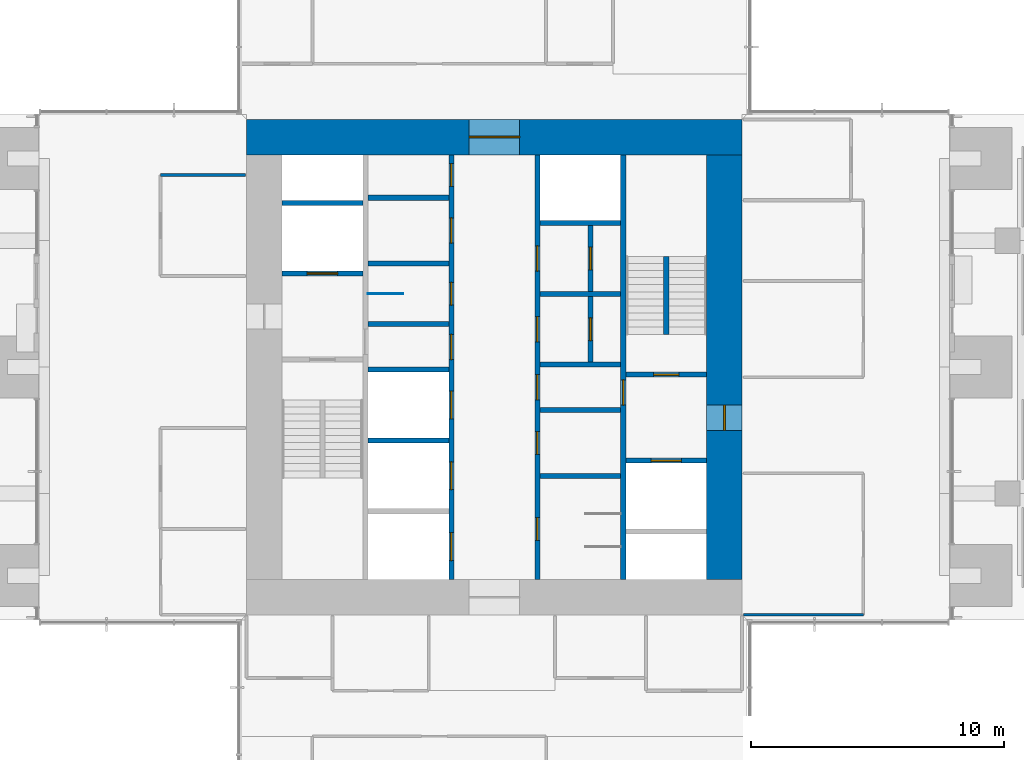
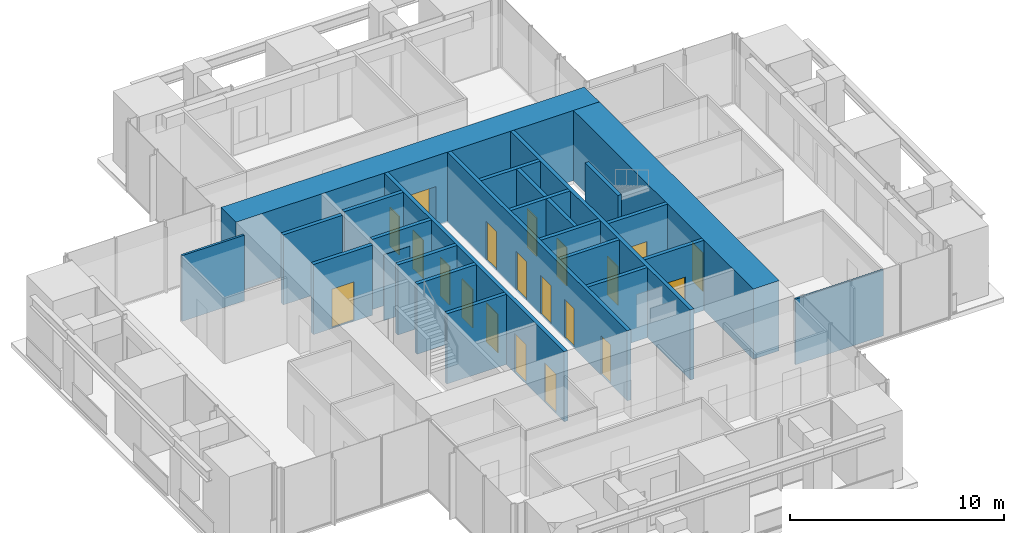
# One storey, part 13 of 17: 25 walls, 20 doors, 20 openings.
"""IFC4 building model written with IfcOpenShell, lengths in metres."""

from ifc_helpers import new_model, si_unit, direction, frame, frame_2d, origin, place, context, subcontext, project, spatial, rectangle, extrude, material, layer, layer_set, type_object, element, fill, save


model = new_model("IFC4")

# Units and contexts
model_context = context("Model", 3, precision=1e-05, world=origin(), true_north=direction((0.0, 1.0)))
body_context = subcontext(model_context, "Body", "Model", "MODEL_VIEW")
ifc_project = project(units=[si_unit("LENGTHUNIT", "METRE"), si_unit("AREAUNIT", "SQUARE_METRE"), si_unit("VOLUMEUNIT", "CUBIC_METRE"), si_unit("PLANEANGLEUNIT", "RADIAN"), si_unit("MASSUNIT", "GRAM", prefix="KILO")], contexts=[model_context])

# Site, building, storey
site_placement = place(None, origin())
site = spatial("IfcSite", under=ifc_project, at=site_placement, CompositionType="ELEMENT")
building_placement = place(site_placement, origin())
building = spatial("IfcBuilding", under=site, at=building_placement, Name="Svetlomir Tower", CompositionType="ELEMENT")
storey_placement = place(building_placement, frame((0.0, 0.0, 190.5)))
storey = spatial("IfcBuildingStorey", under=building, at=storey_placement, Name="L45", CompositionType="ELEMENT", Elevation=190.5)

# Wall, openings, doors
ifc_material_1 = material(Name="Concrete C60/75", Category="concrete")
ifc_layer_1 = layer(ifc_material_1, 0.199951171875)
ifc_layer_set_1 = layer_set([ifc_layer_1], Name="Concrete C60/75")
wall_type_1 = type_object("IfcWallType", Name="CORE INNER WALL 200", PredefinedType="SHEAR", material=ifc_layer_set_1)
wall_1_placement = place(storey_placement, frame((19.300048828125, 12.60009765625, -0.050048828125), z_axis=(0.0, 0.0, 1.0), x_axis=(0.0, 1.0, 0.0)))
wall_1 = element("IfcWall", 1, at=wall_1_placement, inside=storey, type_object=wall_type_1, Name="Core inner wall 19.3 L45", PredefinedType="SHEAR", context=body_context, shape_type="SweptSolid", body=[
    extrude(rectangle(XDim=16.7998046875, YDim=0.199951171875, at=frame_2d((8.39990234375, 0.0))), origin(), (0.0, 0.0, 1.0), 4.0),
])
opening_1_placement = place(wall_1_placement, frame((8.699951171875, 0.0, 0.050048828125)))
opening_1 = element("IfcOpeningElement", 2, at=opening_1_placement, cuts=wall_1, Name="Opening DC", PredefinedType="OPENING", context=body_context, shape_type="SweptSolid", body=[
    extrude(rectangle(XDim=1.0, YDim=2.199951171875, at=frame_2d((0.5, 1.10009765625))), frame((0.0, 0.10986328125, 0.0), z_axis=(0.0, -1.0, 0.0), x_axis=(1.0, 0.0, 0.0)), (0.0, 0.0, 1.0), 0.219970703125),
])
opening_2_placement = place(wall_1_placement, frame((10.85009765625, 0.0, 0.050048828125)))
opening_2 = element("IfcOpeningElement", 3, at=opening_2_placement, cuts=wall_1, Name="Opening DW", PredefinedType="OPENING", context=body_context, shape_type="SweptSolid", body=[
    extrude(rectangle(XDim=0.89990234375, YDim=2.199951171875, at=frame_2d((0.449951171875, 1.10009765625))), frame((0.0, 0.10986328125, 0.0), z_axis=(0.0, -1.0, 0.0), x_axis=(1.0, 0.0, 0.0)), (0.0, 0.0, 1.0), 0.219970703125),
])
opening_3_placement = place(wall_1_placement, frame((13.300048828125, 0.0, 0.050048828125)))
opening_3 = element("IfcOpeningElement", 4, at=opening_3_placement, cuts=wall_1, Name="Opening DC", PredefinedType="OPENING", context=body_context, shape_type="SweptSolid", body=[
    extrude(rectangle(XDim=1.0, YDim=2.199951171875, at=frame_2d((0.5, 1.10009765625))), frame((0.0, 0.10986328125, 0.0), z_axis=(0.0, -1.0, 0.0), x_axis=(1.0, 0.0, 0.0)), (0.0, 0.0, 1.0), 0.219970703125),
])
opening_4_placement = place(wall_1_placement, frame((15.550048828125, 0.0, 0.050048828125)))
opening_4 = element("IfcOpeningElement", 5, at=opening_4_placement, cuts=wall_1, Name="Opening DW", PredefinedType="OPENING", context=body_context, shape_type="SweptSolid", body=[
    extrude(rectangle(XDim=0.89990234375, YDim=2.199951171875, at=frame_2d((0.449951171875, 1.10009765625))), frame((0.0, 0.10986328125, 0.0), z_axis=(0.0, -1.0, 0.0), x_axis=(1.0, 0.0, 0.0)), (0.0, 0.0, 1.0), 0.219970703125),
])
opening_5_placement = place(wall_1_placement, frame((0.75, 0.0, 0.050048828125)))
opening_5 = element("IfcOpeningElement", 6, at=opening_5_placement, cuts=wall_1, Name="Opening LD", PredefinedType="OPENING", context=body_context, shape_type="SweptSolid", body=[
    extrude(rectangle(XDim=1.10009765625, YDim=2.199951171875, at=frame_2d((0.550048828125, 1.10009765625))), frame((0.0, 0.10986328125, 0.0), z_axis=(0.0, -1.0, 0.0), x_axis=(1.0, 0.0, 0.0)), (0.0, 0.0, 1.0), 0.219970703125),
])
opening_6_placement = place(wall_1_placement, frame((3.550048828125, 0.0, 0.050048828125)))
opening_6 = element("IfcOpeningElement", 7, at=opening_6_placement, cuts=wall_1, Name="Opening LD", PredefinedType="OPENING", context=body_context, shape_type="SweptSolid", body=[
    extrude(rectangle(XDim=1.10009765625, YDim=2.199951171875, at=frame_2d((0.550048828125, 1.10009765625))), frame((0.0, 0.10986328125, 0.0), z_axis=(0.0, -1.0, 0.0), x_axis=(1.0, 0.0, 0.0)), (0.0, 0.0, 1.0), 0.219970703125),
])
opening_7_placement = place(wall_1_placement, frame((6.35009765625, 0.0, 0.050048828125)))
opening_7 = element("IfcOpeningElement", 8, at=opening_7_placement, cuts=wall_1, Name="Opening LD", PredefinedType="OPENING", context=body_context, shape_type="SweptSolid", body=[
    extrude(rectangle(XDim=1.10009765625, YDim=2.199951171875, at=frame_2d((0.550048828125, 1.10009765625))), frame((0.0, 0.10986328125, 0.0), z_axis=(0.0, -1.0, 0.0), x_axis=(1.0, 0.0, 0.0)), (0.0, 0.0, 1.0), 0.219970703125),
])
ifc_material_2 = material(Name="Timber fire door", Category="wood")
door_type_1 = type_object("IfcDoorType", Name="DOOR DC 1000x2200", OperationType="SINGLE_SWING_LEFT", PredefinedType="DOOR", material=ifc_material_2)
door_1_placement = place(opening_1_placement, origin())
door_1 = element("IfcDoor", 9, at=door_1_placement, inside=storey, type_object=door_type_1, Name="Core corridor west lobby door L45", OperationType="SINGLE_SWING_LEFT", OverallHeight=2.199951171875, OverallWidth=1.0, PredefinedType="DOOR", context=body_context, shape_type="SweptSolid", body=[
    extrude(rectangle(XDim=1.0, YDim=2.199951171875, at=frame_2d((0.5, 1.10009765625))), frame((0.0, 0.02490234375, 0.0), z_axis=(0.0, -1.0, 0.0), x_axis=(1.0, 0.0, 0.0)), (0.0, 0.0, 1.0), 0.050048828125),
])
fill(opening_1, door_1)
door_2_placement = place(opening_3_placement, origin())
door_2 = element("IfcDoor", 10, at=door_2_placement, inside=storey, type_object=door_type_1, Name="Accessible WC door L45", OperationType="SINGLE_SWING_RIGHT", OverallHeight=2.199951171875, OverallWidth=1.0, PredefinedType="DOOR", context=body_context, shape_type="SweptSolid", body=[
    extrude(rectangle(XDim=1.0, YDim=2.199951171875, at=frame_2d((0.5, 1.10009765625))), frame((0.0, 0.02490234375, 0.0), z_axis=(0.0, -1.0, 0.0), x_axis=(1.0, 0.0, 0.0)), (0.0, 0.0, 1.0), 0.050048828125),
])
fill(opening_3, door_2)
ifc_material_3 = material(Name="Timber fire door", Category="wood")
door_type_2 = type_object("IfcDoorType", Name="DOOR DW 900x2200", OperationType="SINGLE_SWING_LEFT", PredefinedType="DOOR", material=ifc_material_3)
door_3_placement = place(opening_2_placement, origin())
door_3 = element("IfcDoor", 11, at=door_3_placement, inside=storey, type_object=door_type_2, Name="Female WC door L45", OperationType="SINGLE_SWING_LEFT", OverallHeight=2.199951171875, OverallWidth=0.89990234375, PredefinedType="DOOR", context=body_context, shape_type="SweptSolid", body=[
    extrude(rectangle(XDim=0.89990234375, YDim=2.199951171875, at=frame_2d((0.449951171875, 1.10009765625))), frame((0.0, 0.02490234375, 0.0), z_axis=(0.0, -1.0, 0.0), x_axis=(1.0, 0.0, 0.0)), (0.0, 0.0, 1.0), 0.050048828125),
])
fill(opening_2, door_3)
door_4_placement = place(opening_4_placement, origin())
door_4 = element("IfcDoor", 12, at=door_4_placement, inside=storey, type_object=door_type_2, Name="Tea point door L45", OperationType="SINGLE_SWING_LEFT", OverallHeight=2.199951171875, OverallWidth=0.89990234375, PredefinedType="DOOR", context=body_context, shape_type="SweptSolid", body=[
    extrude(rectangle(XDim=0.89990234375, YDim=2.199951171875, at=frame_2d((0.449951171875, 1.10009765625))), frame((0.0, 0.02490234375, 0.0), z_axis=(0.0, -1.0, 0.0), x_axis=(1.0, 0.0, 0.0)), (0.0, 0.0, 1.0), 0.050048828125),
])
fill(opening_4, door_4)
ifc_material_4 = material(Name="Stainless steel landing door", Category="steel")
door_type_3 = type_object("IfcDoorType", Name="LIFT LANDING DOOR LD 1100x2200", OperationType="DOUBLE_DOOR_SLIDING", PredefinedType="DOOR", material=ifc_material_4)
door_5_placement = place(opening_5_placement, origin())
door_5 = element("IfcDoor", 13, at=door_5_placement, inside=storey, type_object=door_type_3, Name="Landing door lift LC1 L45", OperationType="DOUBLE_DOOR_SLIDING", OverallHeight=2.199951171875, OverallWidth=1.10009765625, PredefinedType="DOOR", context=body_context, shape_type="SweptSolid", body=[
    extrude(rectangle(XDim=1.10009765625, YDim=2.199951171875, at=frame_2d((0.550048828125, 1.10009765625))), frame((0.0, 0.02490234375, 0.0), z_axis=(0.0, -1.0, 0.0), x_axis=(1.0, 0.0, 0.0)), (0.0, 0.0, 1.0), 0.050048828125),
])
fill(opening_5, door_5)
door_6_placement = place(opening_6_placement, origin())
door_6 = element("IfcDoor", 14, at=door_6_placement, inside=storey, type_object=door_type_3, Name="Landing door lift LC2 L45", OperationType="DOUBLE_DOOR_SLIDING", OverallHeight=2.199951171875, OverallWidth=1.10009765625, PredefinedType="DOOR", context=body_context, shape_type="SweptSolid", body=[
    extrude(rectangle(XDim=1.10009765625, YDim=2.199951171875, at=frame_2d((0.550048828125, 1.10009765625))), frame((0.0, 0.02490234375, 0.0), z_axis=(0.0, -1.0, 0.0), x_axis=(1.0, 0.0, 0.0)), (0.0, 0.0, 1.0), 0.050048828125),
])
fill(opening_6, door_6)
door_7_placement = place(opening_7_placement, origin())
door_7 = element("IfcDoor", 15, at=door_7_placement, inside=storey, type_object=door_type_3, Name="Landing door lift LC3 L45", OperationType="DOUBLE_DOOR_SLIDING", OverallHeight=2.199951171875, OverallWidth=1.10009765625, PredefinedType="DOOR", context=body_context, shape_type="SweptSolid", body=[
    extrude(rectangle(XDim=1.10009765625, YDim=2.199951171875, at=frame_2d((0.550048828125, 1.10009765625))), frame((0.0, 0.02490234375, 0.0), z_axis=(0.0, -1.0, 0.0), x_axis=(1.0, 0.0, 0.0)), (0.0, 0.0, 1.0), 0.050048828125),
])
fill(opening_7, door_7)

wall_2_placement = place(storey_placement, frame((22.699951171875, 12.60009765625, -0.050048828125), z_axis=(0.0, 0.0, 1.0), x_axis=(0.0, 1.0, 0.0)))
wall_2 = element("IfcWall", 16, at=wall_2_placement, inside=storey, type_object=wall_type_1, Name="Core inner wall 22.7 L45", PredefinedType="SHEAR", context=body_context, shape_type="SweptSolid", body=[
    extrude(rectangle(XDim=16.7998046875, YDim=0.199951171875, at=frame_2d((8.39990234375, 0.0))), origin(), (0.0, 0.0, 1.0), 4.0),
])
opening_8_placement = place(wall_2_placement, frame((7.10009765625, 0.0, 0.050048828125)))
opening_8 = element("IfcOpeningElement", 17, at=opening_8_placement, cuts=wall_2, Name="Opening DC", PredefinedType="OPENING", context=body_context, shape_type="SweptSolid", body=[
    extrude(rectangle(XDim=1.0, YDim=2.199951171875, at=frame_2d((0.5, 1.10009765625))), frame((0.0, 0.10986328125, 0.0), z_axis=(0.0, -1.0, 0.0), x_axis=(1.0, 0.0, 0.0)), (0.0, 0.0, 1.0), 0.219970703125),
])
opening_9_placement = place(wall_2_placement, frame((1.550048828125, 0.0, 0.050048828125)))
opening_9 = element("IfcOpeningElement", 18, at=opening_9_placement, cuts=wall_2, Name="Opening DW", PredefinedType="OPENING", context=body_context, shape_type="SweptSolid", body=[
    extrude(rectangle(XDim=0.89990234375, YDim=2.199951171875, at=frame_2d((0.449951171875, 1.10009765625))), frame((0.0, 0.10986328125, 0.0), z_axis=(0.0, -1.0, 0.0), x_axis=(1.0, 0.0, 0.0)), (0.0, 0.0, 1.0), 0.219970703125),
])
opening_10_placement = place(wall_2_placement, frame((4.949951171875, 0.0, 0.050048828125)))
opening_10 = element("IfcOpeningElement", 19, at=opening_10_placement, cuts=wall_2, Name="Opening DW", PredefinedType="OPENING", context=body_context, shape_type="SweptSolid", body=[
    extrude(rectangle(XDim=0.89990234375, YDim=2.199951171875, at=frame_2d((0.449951171875, 1.10009765625))), frame((0.0, 0.10986328125, 0.0), z_axis=(0.0, -1.0, 0.0), x_axis=(1.0, 0.0, 0.0)), (0.0, 0.0, 1.0), 0.219970703125),
])
opening_11_placement = place(wall_2_placement, frame((9.39990234375, 0.0, 0.050048828125)))
opening_11 = element("IfcOpeningElement", 20, at=opening_11_placement, cuts=wall_2, Name="Opening DC", PredefinedType="OPENING", context=body_context, shape_type="SweptSolid", body=[
    extrude(rectangle(XDim=1.0, YDim=2.199951171875, at=frame_2d((0.5, 1.10009765625))), frame((0.0, 0.10986328125, 0.0), z_axis=(0.0, -1.0, 0.0), x_axis=(1.0, 0.0, 0.0)), (0.0, 0.0, 1.0), 0.219970703125),
])
opening_12_placement = place(wall_2_placement, frame((12.199951171875, 0.0, 0.050048828125)))
opening_12 = element("IfcOpeningElement", 21, at=opening_12_placement, cuts=wall_2, Name="Opening DC", PredefinedType="OPENING", context=body_context, shape_type="SweptSolid", body=[
    extrude(rectangle(XDim=1.0, YDim=2.199951171875, at=frame_2d((0.5, 1.10009765625))), frame((0.0, 0.10986328125, 0.0), z_axis=(0.0, -1.0, 0.0), x_axis=(1.0, 0.0, 0.0)), (0.0, 0.0, 1.0), 0.219970703125),
])
door_8_placement = place(opening_8_placement, origin())
door_8 = element("IfcDoor", 22, at=door_8_placement, inside=storey, type_object=door_type_1, Name="Core corridor east lobby door L45", OperationType="SINGLE_SWING_RIGHT", OverallHeight=2.199951171875, OverallWidth=1.0, PredefinedType="DOOR", context=body_context, shape_type="SweptSolid", body=[
    extrude(rectangle(XDim=1.0, YDim=2.199951171875, at=frame_2d((0.5, 1.10009765625))), frame((0.0, 0.02490234375, 0.0), z_axis=(0.0, -1.0, 0.0), x_axis=(1.0, 0.0, 0.0)), (0.0, 0.0, 1.0), 0.050048828125),
])
fill(opening_8, door_8)
door_9_placement = place(opening_11_placement, origin())
door_9 = element("IfcDoor", 23, at=door_9_placement, inside=storey, type_object=door_type_1, Name="Converted shaft BANK-E1 room door L45", OperationType="SINGLE_SWING_RIGHT", OverallHeight=2.199951171875, OverallWidth=1.0, PredefinedType="DOOR", context=body_context, shape_type="SweptSolid", body=[
    extrude(rectangle(XDim=1.0, YDim=2.199951171875, at=frame_2d((0.5, 1.10009765625))), frame((0.0, 0.02490234375, 0.0), z_axis=(0.0, -1.0, 0.0), x_axis=(1.0, 0.0, 0.0)), (0.0, 0.0, 1.0), 0.050048828125),
])
fill(opening_11, door_9)
door_10_placement = place(opening_12_placement, origin())
door_10 = element("IfcDoor", 24, at=door_10_placement, inside=storey, type_object=door_type_1, Name="Converted shaft BANK-E2 room door L45", OperationType="SINGLE_SWING_RIGHT", OverallHeight=2.199951171875, OverallWidth=1.0, PredefinedType="DOOR", context=body_context, shape_type="SweptSolid", body=[
    extrude(rectangle(XDim=1.0, YDim=2.199951171875, at=frame_2d((0.5, 1.10009765625))), frame((0.0, 0.02490234375, 0.0), z_axis=(0.0, -1.0, 0.0), x_axis=(1.0, 0.0, 0.0)), (0.0, 0.0, 1.0), 0.050048828125),
])
fill(opening_12, door_10)
door_11_placement = place(opening_9_placement, origin())
door_11 = element("IfcDoor", 25, at=door_11_placement, inside=storey, type_object=door_type_2, Name="Male WC door L45", OperationType="SINGLE_SWING_RIGHT", OverallHeight=2.199951171875, OverallWidth=0.89990234375, PredefinedType="DOOR", context=body_context, shape_type="SweptSolid", body=[
    extrude(rectangle(XDim=0.89990234375, YDim=2.199951171875, at=frame_2d((0.449951171875, 1.10009765625))), frame((0.0, 0.02490234375, 0.0), z_axis=(0.0, -1.0, 0.0), x_axis=(1.0, 0.0, 0.0)), (0.0, 0.0, 1.0), 0.050048828125),
])
fill(opening_9, door_11)
door_12_placement = place(opening_10_placement, origin())
door_12 = element("IfcDoor", 26, at=door_12_placement, inside=storey, type_object=door_type_2, Name="Comms room door L45", OperationType="SINGLE_SWING_LEFT", OverallHeight=2.199951171875, OverallWidth=0.89990234375, PredefinedType="DOOR", context=body_context, shape_type="SweptSolid", body=[
    extrude(rectangle(XDim=0.89990234375, YDim=2.199951171875, at=frame_2d((0.449951171875, 1.10009765625))), frame((0.0, 0.02490234375, 0.0), z_axis=(0.0, -1.0, 0.0), x_axis=(1.0, 0.0, 0.0)), (0.0, 0.0, 1.0), 0.050048828125),
])
fill(opening_10, door_12)

# Wall, opening, door
wall_3_placement = place(storey_placement, frame((26.10009765625, 12.60009765625, -0.050048828125), z_axis=(0.0, 0.0, 1.0), x_axis=(0.0, 1.0, 0.0)))
wall_3 = element("IfcWall", 27, at=wall_3_placement, inside=storey, type_object=wall_type_1, Name="Core inner wall 26.1 L45", PredefinedType="SHEAR", context=body_context, shape_type="SweptSolid", body=[
    extrude(rectangle(XDim=16.7998046875, YDim=0.199951171875, at=frame_2d((8.39990234375, 0.0))), origin(), (0.0, 0.0, 1.0), 4.0),
])
opening_13_placement = place(wall_3_placement, frame((6.89990234375, 0.0, 0.050048828125)))
opening_13 = element("IfcOpeningElement", 28, at=opening_13_placement, cuts=wall_3, Name="Opening DF", PredefinedType="OPENING", context=body_context, shape_type="SweptSolid", body=[
    extrude(rectangle(XDim=1.0, YDim=2.199951171875, at=frame_2d((0.5, 1.10009765625))), frame((0.0, 0.10986328125, 0.0), z_axis=(0.0, -1.0, 0.0), x_axis=(1.0, 0.0, 0.0)), (0.0, 0.0, 1.0), 0.219970703125),
])
ifc_material_5 = material(Name="Steel fire door", Category="steel")
door_type_4 = type_object("IfcDoorType", Name="DOOR DF 1000x2200", OperationType="SINGLE_SWING_LEFT", PredefinedType="DOOR", material=ifc_material_5)
door_13_placement = place(opening_13_placement, origin())
door_13 = element("IfcDoor", 29, at=door_13_placement, inside=storey, type_object=door_type_4, Name="Core corridor east door L45", OperationType="SINGLE_SWING_LEFT", OverallHeight=2.199951171875, OverallWidth=1.0, PredefinedType="DOOR", context=body_context, shape_type="SweptSolid", body=[
    extrude(rectangle(XDim=1.0, YDim=2.199951171875, at=frame_2d((0.5, 1.10009765625))), frame((0.0, 0.02490234375, 0.0), z_axis=(0.0, -1.0, 0.0), x_axis=(1.0, 0.0, 0.0)), (0.0, 0.0, 1.0), 0.050048828125),
])
fill(opening_13, door_13)

wall_4_placement = place(storey_placement, frame((12.60009765625, 24.699951171875, -0.050048828125), z_axis=(0.0, 0.0, 1.0), x_axis=(1.0, 0.0, 0.0)))
wall_4 = element("IfcWall", 30, at=wall_4_placement, inside=storey, type_object=wall_type_1, Name="Core inner wall 12.6-15.8/24.7 L45", PredefinedType="SHEAR", context=body_context, shape_type="SweptSolid", body=[
    extrude(rectangle(XDim=3.199951171875, YDim=0.199951171875, at=frame_2d((1.60009765625, 0.0))), origin(), (0.0, 0.0, 1.0), 4.0),
])
opening_14_placement = place(wall_4_placement, frame((1.0, 0.0, 0.050048828125)))
opening_14 = element("IfcOpeningElement", 31, at=opening_14_placement, cuts=wall_4, Name="Opening LD3", PredefinedType="OPENING", context=body_context, shape_type="SweptSolid", body=[
    extrude(rectangle(XDim=1.199951171875, YDim=2.199951171875, at=frame_2d((0.60009765625, 1.10009765625))), frame((0.0, 0.10986328125, 0.0), z_axis=(0.0, -1.0, 0.0), x_axis=(1.0, 0.0, 0.0)), (0.0, 0.0, 1.0), 0.219970703125),
])
ifc_material_6 = material(Name="Stainless steel fire-rated landing door", Category="steel")
door_type_5 = type_object("IfcDoorType", Name="FIREFIGHTING LIFT LANDING DOOR LD3 1200x2200", OperationType="DOUBLE_DOOR_SLIDING", PredefinedType="DOOR", material=ifc_material_6)
door_14_placement = place(opening_14_placement, origin())
door_14 = element("IfcDoor", 32, at=door_14_placement, inside=storey, type_object=door_type_5, Name="Landing door lift FL1 L45", OperationType="DOUBLE_DOOR_SLIDING", OverallHeight=2.199951171875, OverallWidth=1.199951171875, PredefinedType="DOOR", context=body_context, shape_type="SweptSolid", body=[
    extrude(rectangle(XDim=1.199951171875, YDim=2.199951171875, at=frame_2d((0.60009765625, 1.10009765625))), frame((0.0, 0.02490234375, 0.0), z_axis=(0.0, -1.0, 0.0), x_axis=(1.0, 0.0, 0.0)), (0.0, 0.0, 1.0), 0.050048828125),
])
fill(opening_14, door_14)

# Walls
for number, where, z_axis, x_axis, name in (
    (33, (12.60009765625, 27.5, -0.050048828125), (0.0, 0.0, 1.0), (1.0, 0.0, 0.0), "Core inner wall 12.6-15.8/27.5 L45"),
    (34, (16.0, 18.10009765625, -0.050048828125), (0.0, 0.0, 1.0), (1.0, 0.0, 0.0), "Core inner wall 16-19.2/18.1 L45"),
    (35, (16.0, 20.89990234375, -0.050048828125), (0.0, 0.0, 1.0), (1.0, 0.0, 0.0), "Core inner wall 16-19.2/20.9 L45"),
    (36, (16.0, 22.699951171875, -0.050048828125), (0.0, 0.0, 1.0), (1.0, 0.0, 0.0), "Core inner wall 16-19.2/22.7 L45"),
    (37, (16.0, 25.10009765625, -0.050048828125), (0.0, 0.0, 1.0), (1.0, 0.0, 0.0), "Core inner wall 16-19.2/25.1 L45"),
    (38, (16.0, 27.699951171875, -0.050048828125), (0.0, 0.0, 1.0), (1.0, 0.0, 0.0), "Core inner wall 16-19.2/27.7 L45"),
    (39, (22.800048828125, 16.699951171875, -0.050048828125), (0.0, 0.0, 1.0), (1.0, 0.0, 0.0), "Core inner wall 22.8-26/16.7 L45"),
    (40, (22.800048828125, 19.300048828125, -0.050048828125), (0.0, 0.0, 1.0), (1.0, 0.0, 0.0), "Core inner wall 22.8-26/19.3 L45"),
    (41, (22.800048828125, 21.10009765625, -0.050048828125), (0.0, 0.0, 1.0), (1.0, 0.0, 0.0), "Core inner wall 22.8-26/21.1 L45"),
    (42, (22.800048828125, 23.89990234375, -0.050048828125), (0.0, 0.0, 1.0), (1.0, 0.0, 0.0), "Core inner wall 22.8-26/23.9 L45"),
    (43, (22.800048828125, 26.699951171875, -0.050048828125), (0.0, 0.0, 1.0), (1.0, 0.0, 0.0), "Core inner wall 22.8-26/26.7 L45"),
):
    element("IfcWall", number, at=place(storey_placement, frame(where, z_axis=z_axis, x_axis=x_axis)), inside=storey, type_object=wall_type_1, Name=name, PredefinedType="SHEAR", context=body_context, shape_type="SweptSolid", body=[
        extrude(rectangle(XDim=3.199951171875, YDim=0.199951171875, at=frame_2d((1.60009765625, 0.0))), origin(), (0.0, 0.0, 1.0), 4.0),
    ])

# Wall, opening, door
wall_5_placement = place(storey_placement, frame((26.199951171875, 17.300048828125, -0.050048828125), z_axis=(0.0, 0.0, 1.0), x_axis=(1.0, 0.0, 0.0)))
wall_5 = element("IfcWall", 44, at=wall_5_placement, inside=storey, type_object=wall_type_1, Name="Core inner wall 26.2-29.4/17.3 L45", PredefinedType="SHEAR", context=body_context, shape_type="SweptSolid", body=[
    extrude(rectangle(XDim=3.199951171875, YDim=0.199951171875, at=frame_2d((1.60009765625, 0.0))), origin(), (0.0, 0.0, 1.0), 4.0),
])
opening_15_placement = place(wall_5_placement, frame((1.0, 0.0, 0.050048828125)))
opening_15 = element("IfcOpeningElement", 45, at=opening_15_placement, cuts=wall_5, Name="Opening LD3", PredefinedType="OPENING", context=body_context, shape_type="SweptSolid", body=[
    extrude(rectangle(XDim=1.199951171875, YDim=2.199951171875, at=frame_2d((0.60009765625, 1.10009765625))), frame((0.0, 0.10986328125, 0.0), z_axis=(0.0, -1.0, 0.0), x_axis=(1.0, 0.0, 0.0)), (0.0, 0.0, 1.0), 0.219970703125),
])
door_15_placement = place(opening_15_placement, origin())
door_15 = element("IfcDoor", 46, at=door_15_placement, inside=storey, type_object=door_type_5, Name="Landing door lift FL2 L45", OperationType="DOUBLE_DOOR_SLIDING", OverallHeight=2.199951171875, OverallWidth=1.199951171875, PredefinedType="DOOR", context=body_context, shape_type="SweptSolid", body=[
    extrude(rectangle(XDim=1.199951171875, YDim=2.199951171875, at=frame_2d((0.60009765625, 1.10009765625))), frame((0.0, 0.02490234375, 0.0), z_axis=(0.0, -1.0, 0.0), x_axis=(1.0, 0.0, 0.0)), (0.0, 0.0, 1.0), 0.050048828125),
])
fill(opening_15, door_15)

wall_6_placement = place(storey_placement, frame((26.199951171875, 20.699951171875, -0.050048828125), z_axis=(0.0, 0.0, 1.0), x_axis=(1.0, 0.0, 0.0)))
wall_6 = element("IfcWall", 47, at=wall_6_placement, inside=storey, type_object=wall_type_1, Name="Core inner wall 26.2-29.4/20.7 L45", PredefinedType="SHEAR", context=body_context, shape_type="SweptSolid", body=[
    extrude(rectangle(XDim=3.199951171875, YDim=0.199951171875, at=frame_2d((1.60009765625, 0.0))), origin(), (0.0, 0.0, 1.0), 4.0),
])
opening_16_placement = place(wall_6_placement, frame((1.10009765625, 0.0, 0.050048828125)))
opening_16 = element("IfcOpeningElement", 48, at=opening_16_placement, cuts=wall_6, Name="Opening DF", PredefinedType="OPENING", context=body_context, shape_type="SweptSolid", body=[
    extrude(rectangle(XDim=1.0, YDim=2.199951171875, at=frame_2d((0.5, 1.10009765625))), frame((0.0, 0.10986328125, 0.0), z_axis=(0.0, -1.0, 0.0), x_axis=(1.0, 0.0, 0.0)), (0.0, 0.0, 1.0), 0.219970703125),
])
door_16_placement = place(opening_16_placement, origin())
door_16 = element("IfcDoor", 49, at=door_16_placement, inside=storey, type_object=door_type_4, Name="Stair S2 door L45", OperationType="SINGLE_SWING_RIGHT", OverallHeight=2.199951171875, OverallWidth=1.0, PredefinedType="DOOR", context=body_context, shape_type="SweptSolid", body=[
    extrude(rectangle(XDim=1.0, YDim=2.199951171875, at=frame_2d((0.5, 1.10009765625))), frame((0.0, 0.02490234375, 0.0), z_axis=(0.0, -1.0, 0.0), x_axis=(1.0, 0.0, 0.0)), (0.0, 0.0, 1.0), 0.050048828125),
])
fill(opening_16, door_16)

wall_7_placement = place(storey_placement, frame((24.800048828125, 21.199951171875, -0.050048828125), z_axis=(0.0, 0.0, 1.0), x_axis=(0.0, 1.0, 0.0)))
wall_7 = element("IfcWall", 50, at=wall_7_placement, inside=storey, type_object=wall_type_1, Name="Core inner wall 24.8/21.2-23.8 L45", PredefinedType="SHEAR", context=body_context, shape_type="SweptSolid", body=[
    extrude(rectangle(XDim=2.60009765625, YDim=0.199951171875, at=frame_2d((1.300048828125, 0.0))), origin(), (0.0, 0.0, 1.0), 4.0),
])
opening_17_placement = place(wall_7_placement, frame((0.85009765625, 0.0, 0.050048828125)))
opening_17 = element("IfcOpeningElement", 51, at=opening_17_placement, cuts=wall_7, Name="Opening DW", PredefinedType="OPENING", context=body_context, shape_type="SweptSolid", body=[
    extrude(rectangle(XDim=0.89990234375, YDim=2.199951171875, at=frame_2d((0.449951171875, 1.10009765625))), frame((0.0, 0.10986328125, 0.0), z_axis=(0.0, -1.0, 0.0), x_axis=(1.0, 0.0, 0.0)), (0.0, 0.0, 1.0), 0.219970703125),
])
door_17_placement = place(opening_17_placement, origin())
door_17 = element("IfcDoor", 52, at=door_17_placement, inside=storey, type_object=door_type_2, Name="Converted shaft BANK-E1 back room door L45", OperationType="SINGLE_SWING_LEFT", OverallHeight=2.199951171875, OverallWidth=0.89990234375, PredefinedType="DOOR", context=body_context, shape_type="SweptSolid", body=[
    extrude(rectangle(XDim=0.89990234375, YDim=2.199951171875, at=frame_2d((0.449951171875, 1.10009765625))), frame((0.0, 0.02490234375, 0.0), z_axis=(0.0, -1.0, 0.0), x_axis=(1.0, 0.0, 0.0)), (0.0, 0.0, 1.0), 0.050048828125),
])
fill(opening_17, door_17)

wall_8_placement = place(storey_placement, frame((24.800048828125, 24.0, -0.050048828125), z_axis=(0.0, 0.0, 1.0), x_axis=(0.0, 1.0, 0.0)))
wall_8 = element("IfcWall", 53, at=wall_8_placement, inside=storey, type_object=wall_type_1, Name="Core inner wall 24.8/24-26.6 L45", PredefinedType="SHEAR", context=body_context, shape_type="SweptSolid", body=[
    extrude(rectangle(XDim=2.60009765625, YDim=0.199951171875, at=frame_2d((1.300048828125, 0.0))), origin(), (0.0, 0.0, 1.0), 4.0),
])
opening_18_placement = place(wall_8_placement, frame((0.85009765625, 0.0, 0.050048828125)))
opening_18 = element("IfcOpeningElement", 54, at=opening_18_placement, cuts=wall_8, Name="Opening DW", PredefinedType="OPENING", context=body_context, shape_type="SweptSolid", body=[
    extrude(rectangle(XDim=0.89990234375, YDim=2.199951171875, at=frame_2d((0.449951171875, 1.10009765625))), frame((0.0, 0.10986328125, 0.0), z_axis=(0.0, -1.0, 0.0), x_axis=(1.0, 0.0, 0.0)), (0.0, 0.0, 1.0), 0.219970703125),
])
door_18_placement = place(opening_18_placement, origin())
door_18 = element("IfcDoor", 55, at=door_18_placement, inside=storey, type_object=door_type_2, Name="Converted shaft BANK-E2 back room door L45", OperationType="SINGLE_SWING_LEFT", OverallHeight=2.199951171875, OverallWidth=0.89990234375, PredefinedType="DOOR", context=body_context, shape_type="SweptSolid", body=[
    extrude(rectangle(XDim=0.89990234375, YDim=2.199951171875, at=frame_2d((0.449951171875, 1.10009765625))), frame((0.0, 0.02490234375, 0.0), z_axis=(0.0, -1.0, 0.0), x_axis=(1.0, 0.0, 0.0)), (0.0, 0.0, 1.0), 0.050048828125),
])
fill(opening_18, door_18)

ifc_material_7 = material(Name="Concrete C60/75", Category="concrete")
ifc_layer_2 = layer(ifc_material_7, 1.39990234375)
ifc_layer_set_2 = layer_set([ifc_layer_2], Name="Concrete C60/75")
wall_type_2 = type_object("IfcWallType", Name="CORE WALL 1400", PredefinedType="SHEAR", material=ifc_layer_set_2)
wall_9_placement = place(storey_placement, frame((11.199951171875, 30.10009765625, -0.050048828125), z_axis=(0.0, 0.0, 1.0), x_axis=(1.0, 0.0, 0.0)))
wall_9 = element("IfcWall", 56, at=wall_9_placement, inside=storey, type_object=wall_type_2, Name="Core wall north L45", PredefinedType="SHEAR", context=body_context, shape_type="SweptSolid", body=[
    extrude(rectangle(XDim=19.60009765625, YDim=1.39990234375, at=frame_2d((9.800048828125, 0.0))), origin(), (0.0, 0.0, 1.0), 4.0),
])
opening_19_placement = place(wall_9_placement, frame((8.800048828125, 0.0, 0.050048828125)))
opening_19 = element("IfcOpeningElement", 57, at=opening_19_placement, cuts=wall_9, Name="Opening DL", PredefinedType="OPENING", context=body_context, shape_type="SweptSolid", body=[
    extrude(rectangle(XDim=2.0, YDim=2.199951171875, at=frame_2d((1.0, 1.10009765625))), frame((0.0, 0.7099609375, 0.0), z_axis=(0.0, -1.0, 0.0), x_axis=(1.0, 0.0, 0.0)), (0.0, 0.0, 1.0), 1.419921875),
])
ifc_material_8 = material(Name="Steel fire door", Category="steel")
door_type_6 = type_object("IfcDoorType", Name="DOOR DL 2000x2200", OperationType="DOUBLE_DOOR_SINGLE_SWING", PredefinedType="DOOR", material=ifc_material_8)
door_19_placement = place(opening_19_placement, origin())
door_19 = element("IfcDoor", 58, at=door_19_placement, inside=storey, type_object=door_type_6, Name="Lift lobby north door L45", OperationType="DOUBLE_DOOR_SINGLE_SWING", OverallHeight=2.199951171875, OverallWidth=2.0, PredefinedType="DOOR", context=body_context, shape_type="SweptSolid", body=[
    extrude(rectangle(XDim=2.0, YDim=2.199951171875, at=frame_2d((1.0, 1.10009765625))), frame((0.0, 0.02490234375, 0.0), z_axis=(0.0, -1.0, 0.0), x_axis=(1.0, 0.0, 0.0)), (0.0, 0.0, 1.0), 0.050048828125),
])
fill(opening_19, door_19)

wall_10_placement = place(storey_placement, frame((30.10009765625, 12.60009765625, -0.050048828125), z_axis=(0.0, 0.0, 1.0), x_axis=(0.0, 1.0, 0.0)))
wall_10 = element("IfcWall", 59, at=wall_10_placement, inside=storey, type_object=wall_type_2, Name="Core wall east L45", PredefinedType="SHEAR", context=body_context, shape_type="SweptSolid", body=[
    extrude(rectangle(XDim=16.7998046875, YDim=1.39990234375, at=frame_2d((8.39990234375, 0.0))), origin(), (0.0, 0.0, 1.0), 4.0),
])
opening_20_placement = place(wall_10_placement, frame((5.89990234375, 0.0, 0.050048828125)))
opening_20 = element("IfcOpeningElement", 60, at=opening_20_placement, cuts=wall_10, Name="Opening DF", PredefinedType="OPENING", context=body_context, shape_type="SweptSolid", body=[
    extrude(rectangle(XDim=1.0, YDim=2.199951171875, at=frame_2d((0.5, 1.10009765625))), frame((0.0, 0.7099609375, 0.0), z_axis=(0.0, -1.0, 0.0), x_axis=(1.0, 0.0, 0.0)), (0.0, 0.0, 1.0), 1.419921875),
])
door_20_placement = place(opening_20_placement, origin())
door_20 = element("IfcDoor", 61, at=door_20_placement, inside=storey, type_object=door_type_4, Name="Firefighting lobby east door L45", OperationType="SINGLE_SWING_RIGHT", OverallHeight=2.199951171875, OverallWidth=1.0, PredefinedType="DOOR", context=body_context, shape_type="SweptSolid", body=[
    extrude(rectangle(XDim=1.0, YDim=2.199951171875, at=frame_2d((0.5, 1.10009765625))), frame((0.0, 0.02490234375, 0.0), z_axis=(0.0, -1.0, 0.0), x_axis=(1.0, 0.0, 0.0)), (0.0, 0.0, 1.0), 0.050048828125),
])
fill(opening_20, door_20)

# Walls
ifc_material_9 = material(Name="Framed laminated glass partition", Category="glass")
ifc_layer_3 = layer(ifc_material_9, 0.10009765625)
ifc_layer_set_3 = layer_set([ifc_layer_3], Name="Framed laminated glass partition")
wall_type_3 = type_object("IfcWallType", Name="GLAZED PARTITION 100", PredefinedType="PARTITIONING", material=ifc_layer_set_3)
wall_11_placement = place(storey_placement, frame((30.85009765625, 11.199951171875, 0.0), z_axis=(0.0, 0.0, 1.0), x_axis=(1.0, 0.0, 0.0)))
element("IfcWall", 62, at=wall_11_placement, inside=storey, type_object=wall_type_3, Name="Glazed partition L45", PredefinedType="PARTITIONING", context=body_context, shape_type="SweptSolid", body=[
    extrude(rectangle(XDim=4.75, YDim=0.10009765625, at=frame_2d((2.375, 0.0))), origin(), (0.0, 0.0, 1.0), 3.75),
])
ifc_material_10 = material(Name="Gypsum board on steel studs", Category="steel")
ifc_layer_4 = layer(ifc_material_10, 0.1201171875)
ifc_layer_set_4 = layer_set([ifc_layer_4], Name="Gypsum board on steel studs")
wall_type_4 = type_object("IfcWallType", Name="PARTITION 120", PredefinedType="PARTITIONING", material=ifc_layer_set_4)
wall_12_placement = place(storey_placement, frame((7.800048828125, 28.60009765625, 0.0), z_axis=(0.0, 0.0, 1.0), x_axis=(1.0, 0.0, 0.0)))
element("IfcWall", 63, at=wall_12_placement, inside=storey, type_object=wall_type_4, Name="Partition L45", PredefinedType="PARTITIONING", context=body_context, shape_type="SweptSolid", body=[
    extrude(rectangle(XDim=3.349853515625, YDim=0.1201171875, at=frame_2d((1.6748046875, 0.0))), origin(), (0.0, 0.0, 1.0), 3.75),
])
ifc_material_11 = material(Name="Concrete C60/75", Category="concrete")
ifc_layer_5 = layer(ifc_material_11, 0.199951171875)
ifc_layer_set_5 = layer_set([ifc_layer_5], Name="Concrete C60/75")
wall_type_5 = type_object("IfcWallType", Name="STAIR SPINE WALL 200", PredefinedType="PARTITIONING", material=ifc_layer_set_5)
wall_13_placement = place(storey_placement, frame((27.800048828125, 22.300048828125, 0.0), z_axis=(0.0, 0.0, 1.0), x_axis=(0.0, 1.0, 0.0)))
element("IfcWall", 64, at=wall_13_placement, inside=storey, type_object=wall_type_5, Name="Stair S2 spine wall L45", PredefinedType="PARTITIONING", context=body_context, shape_type="SweptSolid", body=[
    extrude(rectangle(XDim=3.079833984375, YDim=0.199951171875, at=frame_2d((1.5400390625, 0.0))), origin(), (0.0, 0.0, 1.0), 4.0),
])
ifc_material_12 = material(Name="Compact laminate panel", Category="plastic")
ifc_layer_6 = layer(ifc_material_12, 0.030029296875)
ifc_layer_set_6 = layer_set([ifc_layer_6], Name="Compact laminate panel")
wall_type_6 = type_object("IfcWallType", Name="WC CUBICLE PARTITION 30", PredefinedType="PARTITIONING", material=ifc_layer_set_6)
wall_14_placement = place(storey_placement, frame((16.0, 23.89990234375, 0.0), z_axis=(0.0, 0.0, 1.0), x_axis=(1.0, 0.0, 0.0)))
element("IfcWall", 65, at=wall_14_placement, inside=storey, type_object=wall_type_6, Name="WC cubicle partition L45", PredefinedType="PARTITIONING", context=body_context, shape_type="SweptSolid", body=[
    extrude(rectangle(XDim=1.39990234375, YDim=0.030029296875, at=frame_2d((0.699951171875, 0.0))), origin(), (0.0, 0.0, 1.0), 3.75),
])

save(model, "model.ifc")
